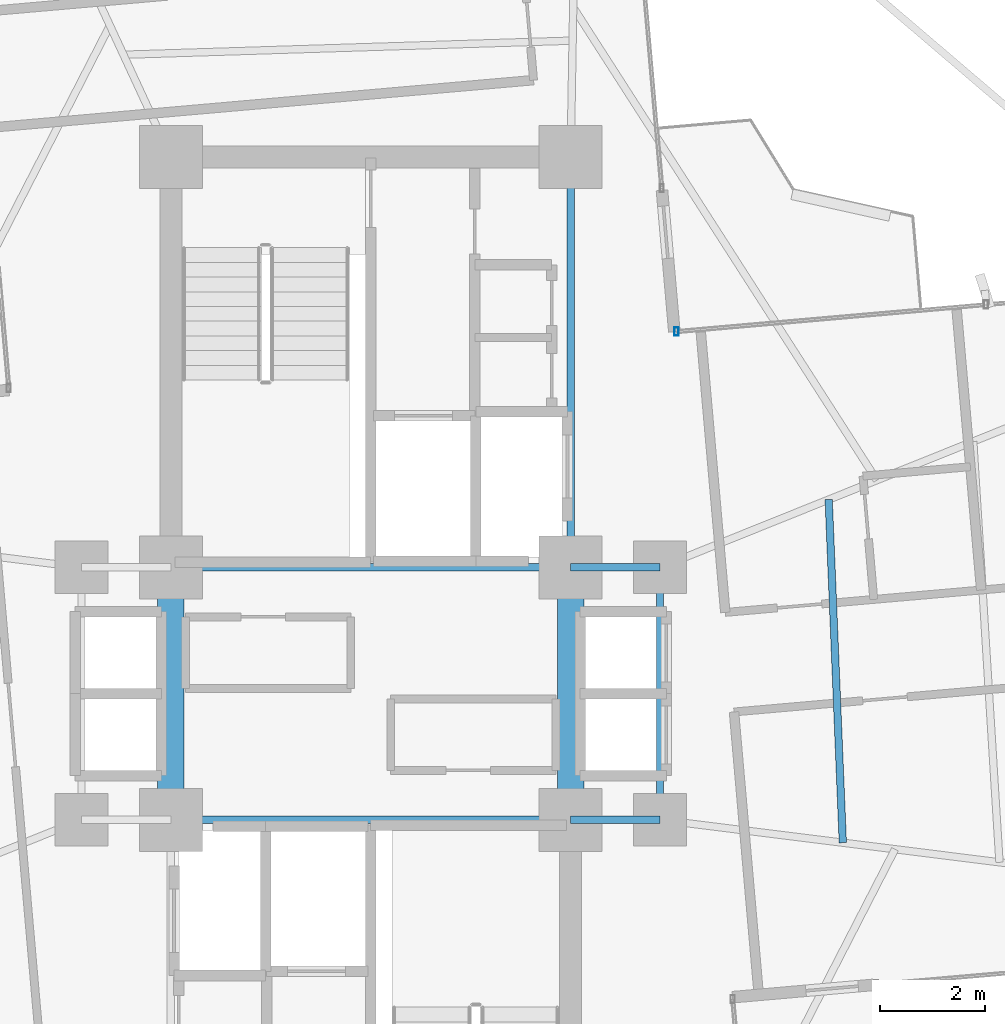
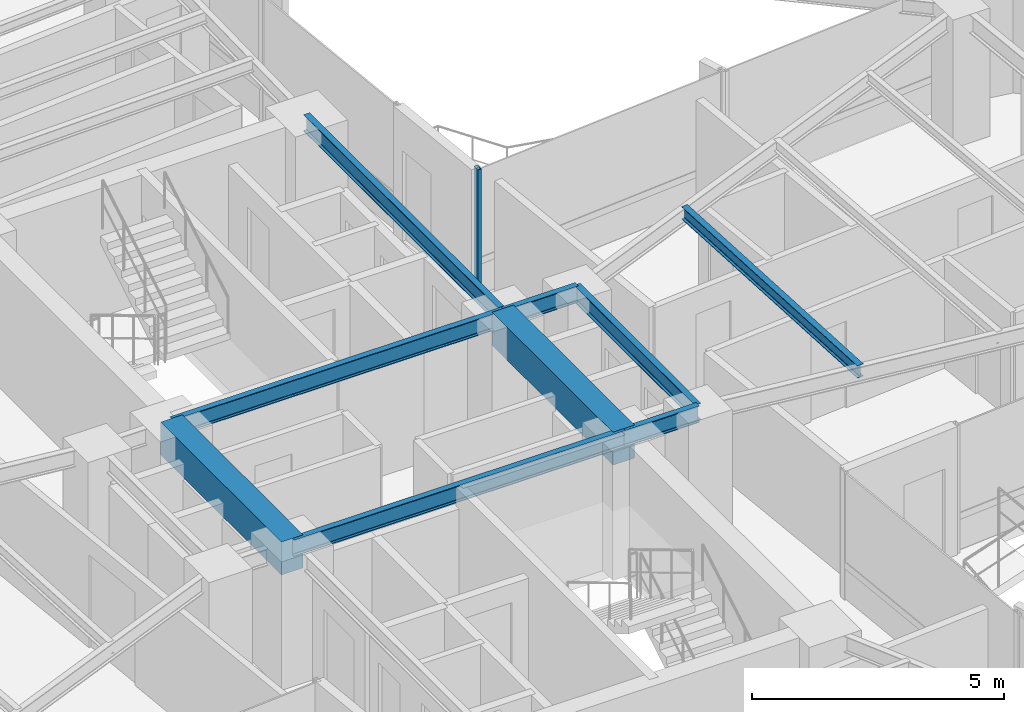
# One storey, part 11 of 24: 9 beams, 1 member, 1 element without a shape of its own.
"""IFC4 building model written with IfcOpenShell, lengths in metres."""

from ifc_helpers import new_model, si_unit, direction, frame, origin, origin_2d, place, context, subcontext, project, spatial, rectangle, hollow_rectangle, i_section, extrude, source, transform, mapped, material, material_profile, profile_set, type_object, element, aggregate, save


model = new_model("IFC4")

# Units and contexts
model_context = context("Model", 3, precision=1e-05, world=origin(), true_north=direction((0.0, 1.0)))
body_context = subcontext(model_context, "Body", "Model", "MODEL_VIEW")
ifc_project = project(units=[si_unit("LENGTHUNIT", "METRE"), si_unit("AREAUNIT", "SQUARE_METRE"), si_unit("VOLUMEUNIT", "CUBIC_METRE"), si_unit("PLANEANGLEUNIT", "RADIAN"), si_unit("MASSUNIT", "GRAM", prefix="KILO")], contexts=[model_context])

# Site, building, storey
site_placement = place(None, origin())
site = spatial("IfcSite", under=ifc_project, at=site_placement, CompositionType="ELEMENT")
building_placement = place(site_placement, origin())
building = spatial("IfcBuilding", under=site, at=building_placement, Name="Sahyath Konkavel Grand Hotel", CompositionType="ELEMENT")
storey_placement = place(building_placement, frame((0.0, 0.0, 164.0)))
storey = spatial("IfcBuildingStorey", under=building, at=storey_placement, Name="L45", CompositionType="ELEMENT", Elevation=164.0)

# Beams
ifc_material_1 = material(Name="Steel E350", Category="steel")
ifc_material_profile_1 = material_profile(ifc_material_1, i_section(OverallWidth=0.139892578125, OverallDepth=0.39990234375, WebThickness=0.0087890625, FlangeThickness=0.01611328125, FilletRadius=0.013916015625, at=origin_2d()), Name="ISMB 400")
ifc_profile_set_1 = profile_set([ifc_material_profile_1], Name="Steel E350")
beam_type_1 = type_object("IfcBeamType", Name="BM-ISMB400", PredefinedType="BEAM", material=ifc_profile_set_1)
shared_shape_1 = source(origin(), body_context, "Body", "SweptSolid", [
    extrude(i_section(OverallWidth=0.139892578125, OverallDepth=0.39990234375, WebThickness=0.0087890625, FlangeThickness=0.01611328125, FilletRadius=0.013916015625, at=origin_2d()), origin(), (0.0, 0.0, 1.0), 7.60009765625),
])
for number, where, z_axis, x_axis, name in (
    (1, (-3.800048828125, 2.39990234375, 2.909912109375), (1.0, 0.0, 0.0), (0.0, 1.0, 0.0), "str:bm:L45:NC-S"),
    (2, (-3.800048828125, -2.39990234375, 2.909912109375), (1.0, 0.0, 0.0), (0.0, 1.0, 0.0), "str:bm:L45:SC-N"),
):
    element("IfcBeam", number, at=place(storey_placement, frame(where, z_axis=z_axis, x_axis=x_axis)), inside=storey, type_object=beam_type_1, Name=name, PredefinedType="BEAM", context=body_context, shape_type="MappedRepresentation", body=[
        mapped(shared_shape_1, transform((0.0, 0.0, 0.0), scale=1.0)),
    ])
shared_shape_2 = source(origin(), body_context, "Body", "SweptSolid", [
    extrude(i_section(OverallWidth=0.139892578125, OverallDepth=0.39990234375, WebThickness=0.0087890625, FlangeThickness=0.01611328125, FilletRadius=0.013916015625, at=origin_2d()), origin(), (0.0, 0.0, 1.0), 7.800048828125),
])
beam_1_placement = place(storey_placement, frame((3.800048828125, 2.39990234375, 2.909912109375), z_axis=(0.0, 1.0, 0.0), x_axis=(-1.0, 0.0, 0.0)))
element("IfcBeam", 3, at=beam_1_placement, inside=storey, type_object=beam_type_1, Name="str:bm:L45:NC-E", PredefinedType="BEAM", context=body_context, shape_type="MappedRepresentation", body=[
    mapped(shared_shape_2, transform((0.0, 0.0, 0.0), scale=1.0)),
])
shared_shape_3 = source(origin(), body_context, "Body", "SweptSolid", [
    extrude(i_section(OverallWidth=0.139892578125, OverallDepth=0.39990234375, WebThickness=0.0087890625, FlangeThickness=0.01611328125, FilletRadius=0.013916015625, at=origin_2d()), origin(), (0.0, 0.0, 1.0), 1.699951171875),
])
for number, where, z_axis, x_axis, name in (
    (4, (3.800048828125, 2.39990234375, 2.909912109375), (1.0, 0.0, 0.0), (0.0, 1.0, 0.0), "str:bm:L45:HB-NE"),
    (5, (3.800048828125, -2.39990234375, 2.909912109375), (1.0, 0.0, 0.0), (0.0, 1.0, 0.0), "str:bm:L45:HB-SE"),
):
    element("IfcBeam", number, at=place(storey_placement, frame(where, z_axis=z_axis, x_axis=x_axis)), inside=storey, type_object=beam_type_1, Name=name, PredefinedType="BEAM", context=body_context, shape_type="MappedRepresentation", body=[
        mapped(shared_shape_3, transform((0.0, 0.0, 0.0), scale=1.0)),
    ])
shared_shape_4 = source(origin(), body_context, "Body", "SweptSolid", [
    extrude(i_section(OverallWidth=0.139892578125, OverallDepth=0.39990234375, WebThickness=0.0087890625, FlangeThickness=0.01611328125, FilletRadius=0.013916015625, at=origin_2d()), origin(), (0.0, 0.0, 1.0), 4.7998046875),
])
beam_2_placement = place(storey_placement, frame((5.5, -2.39990234375, 2.909912109375), z_axis=(0.0, 1.0, 0.0), x_axis=(-1.0, 0.0, 0.0)))
element("IfcBeam", 6, at=beam_2_placement, inside=storey, type_object=beam_type_1, Name="str:bm:L45:HB-E", PredefinedType="BEAM", context=body_context, shape_type="MappedRepresentation", body=[
    mapped(shared_shape_4, transform((0.0, 0.0, 0.0), scale=1.0)),
])
ifc_material_2 = material(Name="Concrete C50/60", Category="concrete")
ifc_material_profile_2 = material_profile(ifc_material_2, rectangle(XDim=0.5, YDim=0.800048828125, at=origin_2d()), Name="RC 500x800")
ifc_profile_set_2 = profile_set([ifc_material_profile_2], Name="Concrete C50/60")
beam_type_2 = type_object("IfcBeamType", Name="BM-CB500x800", PredefinedType="LINTEL", material=ifc_profile_set_2)
shared_shape_5 = source(origin(), body_context, "Body", "SweptSolid", [
    extrude(rectangle(XDim=0.5, YDim=0.800048828125, at=origin_2d()), origin(), (0.0, 0.0, 1.0), 4.7998046875),
])
for number, where, z_axis, x_axis, name in (
    (7, (-3.800048828125, -2.39990234375, 2.7099609375), (0.0, 1.0, 0.0), (-1.0, 0.0, 0.0), "L45 Split-Core Coupling Beam West"),
    (8, (3.800048828125, -2.39990234375, 2.7099609375), (0.0, 1.0, 0.0), (-1.0, 0.0, 0.0), "L45 Split-Core Coupling Beam East"),
):
    element("IfcBeam", number, at=place(storey_placement, frame(where, z_axis=z_axis, x_axis=x_axis)), inside=storey, type_object=beam_type_2, Name=name, PredefinedType="LINTEL", context=body_context, shape_type="MappedRepresentation", body=[
        mapped(shared_shape_5, transform((0.0, 0.0, 0.0), scale=1.0)),
    ])
ifc_material_profile_3 = material_profile(ifc_material_1, i_section(OverallWidth=0.139892578125, OverallDepth=0.300048828125, WebThickness=0.0078125, FlangeThickness=0.01318359375, FilletRadius=0.013916015625, at=origin_2d()), Name="ISMB 300")
ifc_profile_set_3 = profile_set([ifc_material_profile_3], Name="Steel E350")
beam_type_3 = type_object("IfcBeamType", Name="BM-ISMB300", PredefinedType="BEAM", material=ifc_profile_set_3)
shared_shape_6 = source(origin(), body_context, "Body", "SweptSolid", [
    extrude(i_section(OverallWidth=0.139892578125, OverallDepth=0.300048828125, WebThickness=0.0078125, FlangeThickness=0.01318359375, FilletRadius=0.013916015625, at=origin_2d()), origin(), (0.0, 0.0, 1.0), 6.530029296875),
])
beam_3_placement = place(storey_placement, frame((8.9755859375, -2.835205078125, 2.9599609375), z_axis=(-0.04112667768, 0.999153940283, 0.0), x_axis=(-0.999153940283, -0.04112667768, 0.0)))
element("IfcBeam", 9, at=beam_3_placement, inside=storey, type_object=beam_type_3, Name="L45 Secondary Floor Beam E-1", PredefinedType="BEAM", context=body_context, shape_type="MappedRepresentation", body=[
    mapped(shared_shape_6, transform((0.0, 0.0, 0.0), scale=1.0)),
])

# Curtain wall, member
ifc_material_3 = material(Name="Anodised Bronze Aluminium & Low-E Glazing", Category="aluminium")
curtain_wall_type = type_object("IfcCurtainWallType", Name="CW-ZONE3", PredefinedType="NOTDEFINED", material=ifc_material_3)
curtain_wall_placement = place(storey_placement, origin())
curtain_wall = element("IfcCurtainWall", 10, at=curtain_wall_placement, inside=storey, type_object=curtain_wall_type, Name="L45 Unitised Curtain Wall F7", PredefinedType="NOTDEFINED")
ifc_material_4 = material(Name="Anodised Bronze Aluminium", Category="aluminium")
ifc_material_profile_4 = material_profile(ifc_material_4, hollow_rectangle(XDim=0.080078125, YDim=0.159912109375, WallThickness=0.006103515625, at=origin_2d()), Name="RHS 160x80x6")
ifc_profile_set_4 = profile_set([ifc_material_profile_4], Name="Anodised Bronze Aluminium")
member_type = type_object("IfcMemberType", Name="CW-MUL-160", PredefinedType="MULLION", material=ifc_profile_set_4)
shared_shape_7 = source(origin(), body_context, "Body", "SweptSolid", [
    extrude(hollow_rectangle(XDim=0.080078125, YDim=0.159912109375, WallThickness=0.006103515625, at=origin_2d()), origin(), (0.0, 0.0, 1.0), 3.110107421875),
])
member_placement = place(storey_placement, frame((5.812255859375, 6.8828125, 0.0), z_axis=(0.0, 0.0, 1.0), x_axis=(1.0, 0.0, 0.0)))
member = element("IfcMember", 11, at=member_placement, type_object=member_type, Name="L45 Curtain Wall Mullion F7-2", PredefinedType="MULLION", context=body_context, shape_type="MappedRepresentation", body=[
    mapped(shared_shape_7, transform((0.0, 0.0, 0.0), scale=1.0)),
])
aggregate(curtain_wall, [member])

save(model, "model.ifc")
